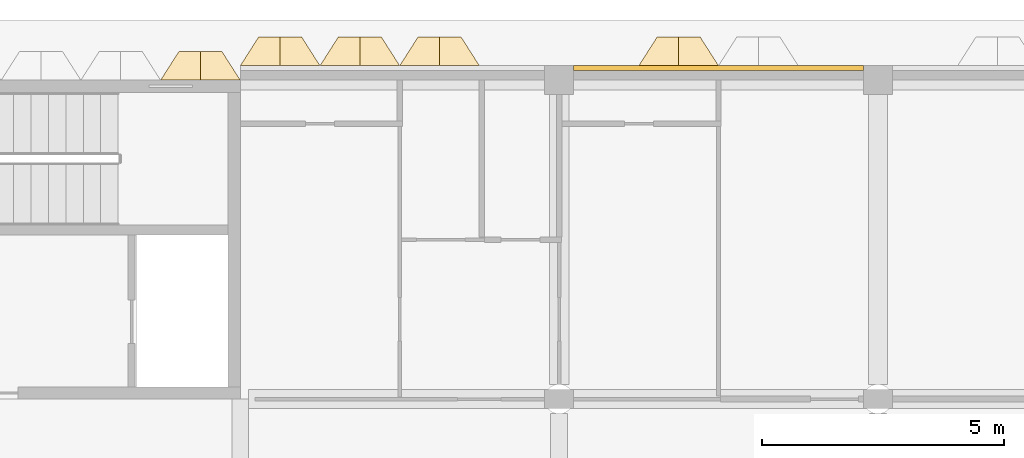
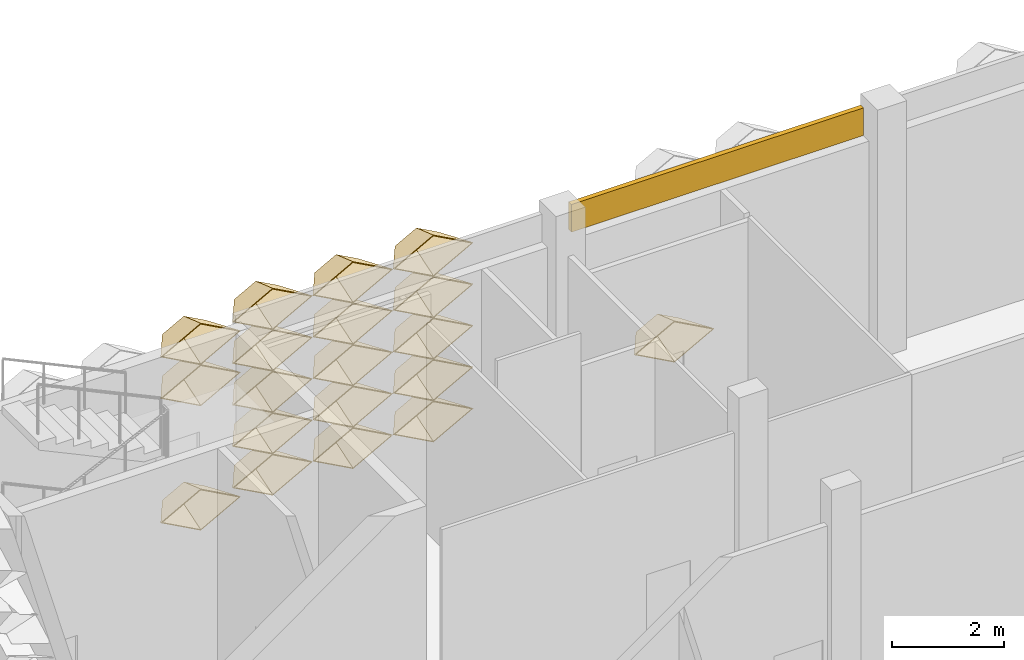
# One storey, part 75 of 85: 20 coverings.
"""IFC4 building model written with IfcOpenShell, lengths in metres."""

from ifc_helpers import new_model, entity, si_unit, direction, frame, frame_2d, origin, place, context, subcontext, project, spatial, rectangle, extrude, material, layer, layer_set, type_object, element, save


model = new_model("IFC4")

# Units and contexts
model_context = context("Model", 3, precision=1e-05, world=origin(), true_north=direction((0.0, 1.0)))
body_context = subcontext(model_context, "Body", "Model", "MODEL_VIEW")
ifc_project = project(units=[si_unit("LENGTHUNIT", "METRE"), si_unit("AREAUNIT", "SQUARE_METRE"), si_unit("VOLUMEUNIT", "CUBIC_METRE"), si_unit("PLANEANGLEUNIT", "RADIAN"), si_unit("MASSUNIT", "GRAM", prefix="KILO")], contexts=[model_context])

# Site, building, storey
site_placement = place(None, origin())
site = spatial("IfcSite", under=ifc_project, at=site_placement, CompositionType="ELEMENT")
building_placement = place(site_placement, origin())
building = spatial("IfcBuilding", under=site, at=building_placement, Name="Lantern Court Research Institute", CompositionType="ELEMENT")
storey_placement = place(building_placement, origin())
storey = spatial("IfcBuildingStorey", under=building, at=storey_placement, Name="L00", CompositionType="ELEMENT", Elevation=0.0)

# Coverings
ifc_material_1 = material(Name="Aluminium composite panel with mineral wool insulation", Category="aluminium")
ifc_layer_1 = layer(ifc_material_1, 0.10009765625)
ifc_layer_set_1 = layer_set([ifc_layer_1], Name="Aluminium composite panel with mineral wool insulation")
covering_type_1 = type_object("IfcCoveringType", Name="Edge fascia panel 100 aluminium faced", PredefinedType="CLADDING", material=ifc_layer_set_1)
covering_1_placement = place(storey_placement, frame((13.5, 99.25, 4.550048828125), z_axis=(0.0, 0.0, 1.0), x_axis=(1.0, 0.0, 0.0)))
element("IfcCovering", 1, at=covering_1_placement, inside=storey, type_object=covering_type_1, Name="Edge fascia V6N L00 02", PredefinedType="CLADDING", context=body_context, shape_type="SweptSolid", body=[
    extrude(rectangle(XDim=6.0, YDim=0.10009765625, at=frame_2d((3.0, 0.0))), origin(), (0.0, 0.0, 1.0), 0.599853515625),
])
ifc_material_2 = material(Name="Anodised aluminium", Category="aluminium")
ifc_layer_2 = layer(ifc_material_2, 0.01611328125)
ifc_layer_set_2 = layer_set([ifc_layer_2], Name="Anodised aluminium")
covering_type_2 = type_object("IfcCoveringType", Name="Fin cassette 1650 x 900 x 600 aluminium", PredefinedType="CLADDING", material=ifc_layer_set_2)
covering_2_placement = place(storey_placement, frame((5.77490234375, 99.0, 1.35009765625), z_axis=(0.0, 1.0, 0.0), x_axis=(-1.0, 0.0, 0.0)))
cartesian_point_1 = entity("IfcCartesianPoint", [0.824951171875, 0.0])
cartesian_point_2 = entity("IfcCartesianPoint", [0.79150390625, 0.0])
cartesian_point_3 = entity("IfcCartesianPoint", [0.44189453125, 0.0])
cartesian_point_4 = entity("IfcCartesianPoint", [0.43359375, 0.0])
element("IfcCovering", 2, at=covering_2_placement, inside=storey, type_object=covering_type_2, Name="Fin cassette V6N-L00 2.4", PredefinedType="CLADDING", context=body_context, shape_type="SweptSolid", body=[
    entity("IfcExtrudedAreaSolidTapered", entity("IfcArbitraryProfileDefWithVoids", "AREA", None, entity("IfcPolyline", [cartesian_point_1, entity("IfcCartesianPoint", [0.0, 0.449951171875]), entity("IfcCartesianPoint", [-0.824951171875, 0.0]), entity("IfcCartesianPoint", [0.0, -0.449951171875]), cartesian_point_1]), [entity("IfcPolyline", [cartesian_point_2, entity("IfcCartesianPoint", [0.0, 0.431884765625]), entity("IfcCartesianPoint", [-0.79150390625, 0.0]), entity("IfcCartesianPoint", [0.0, -0.431884765625]), cartesian_point_2])]), entity("IfcAxis2Placement3D", entity("IfcCartesianPoint", [0.0, 0.0, 0.0])), entity("IfcDirection", [0.0, 0.0, 1.0]), 0.60009765625, entity("IfcArbitraryProfileDefWithVoids", "AREA", None, entity("IfcPolyline", [cartesian_point_3, entity("IfcCartesianPoint", [0.0, 0.240966796875]), entity("IfcCartesianPoint", [-0.44189453125, 0.0]), entity("IfcCartesianPoint", [0.0, -0.240966796875]), cartesian_point_3]), [entity("IfcPolyline", [cartesian_point_4, entity("IfcCartesianPoint", [0.0, 0.236572265625]), entity("IfcCartesianPoint", [-0.43359375, 0.0]), entity("IfcCartesianPoint", [0.0, -0.236572265625]), cartesian_point_4])])),
])
covering_3_placement = place(storey_placement, frame((5.77490234375, 99.0, 4.050048828125), z_axis=(0.0, 1.0, 0.0), x_axis=(-1.0, 0.0, 0.0)))
cartesian_point_5 = entity("IfcCartesianPoint", [0.824951171875, 0.0])
cartesian_point_6 = entity("IfcCartesianPoint", [0.79150390625, 0.0])
cartesian_point_7 = entity("IfcCartesianPoint", [0.44189453125, 0.0])
cartesian_point_8 = entity("IfcCartesianPoint", [0.43359375, 0.0])
element("IfcCovering", 3, at=covering_3_placement, inside=storey, type_object=covering_type_2, Name="Fin cassette V6N-L00 5.4", PredefinedType="CLADDING", context=body_context, shape_type="SweptSolid", body=[
    entity("IfcExtrudedAreaSolidTapered", entity("IfcArbitraryProfileDefWithVoids", "AREA", None, entity("IfcPolyline", [cartesian_point_5, entity("IfcCartesianPoint", [0.0, 0.449951171875]), entity("IfcCartesianPoint", [-0.824951171875, 0.0]), entity("IfcCartesianPoint", [0.0, -0.449951171875]), cartesian_point_5]), [entity("IfcPolyline", [cartesian_point_6, entity("IfcCartesianPoint", [0.0, 0.431884765625]), entity("IfcCartesianPoint", [-0.79150390625, 0.0]), entity("IfcCartesianPoint", [0.0, -0.431884765625]), cartesian_point_6])]), entity("IfcAxis2Placement3D", entity("IfcCartesianPoint", [0.0, 0.0, 0.0])), entity("IfcDirection", [0.0, 0.0, 1.0]), 0.60009765625, entity("IfcArbitraryProfileDefWithVoids", "AREA", None, entity("IfcPolyline", [cartesian_point_7, entity("IfcCartesianPoint", [0.0, 0.240966796875]), entity("IfcCartesianPoint", [-0.44189453125, 0.0]), entity("IfcCartesianPoint", [0.0, -0.240966796875]), cartesian_point_7]), [entity("IfcPolyline", [cartesian_point_8, entity("IfcCartesianPoint", [0.0, 0.236572265625]), entity("IfcCartesianPoint", [-0.43359375, 0.0]), entity("IfcCartesianPoint", [0.0, -0.236572265625]), cartesian_point_8])])),
])
covering_4_placement = place(storey_placement, frame((5.77490234375, 99.0, 4.949951171875), z_axis=(0.0, 1.0, 0.0), x_axis=(-1.0, 0.0, 0.0)))
cartesian_point_9 = entity("IfcCartesianPoint", [0.824951171875, 0.0])
cartesian_point_10 = entity("IfcCartesianPoint", [0.79150390625, 0.0])
cartesian_point_11 = entity("IfcCartesianPoint", [0.44189453125, 0.0])
cartesian_point_12 = entity("IfcCartesianPoint", [0.43359375, 0.0])
element("IfcCovering", 4, at=covering_4_placement, inside=storey, type_object=covering_type_2, Name="Fin cassette V6N-L00 6.4", PredefinedType="CLADDING", context=body_context, shape_type="SweptSolid", body=[
    entity("IfcExtrudedAreaSolidTapered", entity("IfcArbitraryProfileDefWithVoids", "AREA", None, entity("IfcPolyline", [cartesian_point_9, entity("IfcCartesianPoint", [0.0, 0.449951171875]), entity("IfcCartesianPoint", [-0.824951171875, 0.0]), entity("IfcCartesianPoint", [0.0, -0.449951171875]), cartesian_point_9]), [entity("IfcPolyline", [cartesian_point_10, entity("IfcCartesianPoint", [0.0, 0.431884765625]), entity("IfcCartesianPoint", [-0.79150390625, 0.0]), entity("IfcCartesianPoint", [0.0, -0.431884765625]), cartesian_point_10])]), entity("IfcAxis2Placement3D", entity("IfcCartesianPoint", [0.0, 0.0, 0.0])), entity("IfcDirection", [0.0, 0.0, 1.0]), 0.60009765625, entity("IfcArbitraryProfileDefWithVoids", "AREA", None, entity("IfcPolyline", [cartesian_point_11, entity("IfcCartesianPoint", [0.0, 0.240966796875]), entity("IfcCartesianPoint", [-0.44189453125, 0.0]), entity("IfcCartesianPoint", [0.0, -0.240966796875]), cartesian_point_11]), [entity("IfcPolyline", [cartesian_point_12, entity("IfcCartesianPoint", [0.0, 0.236572265625]), entity("IfcCartesianPoint", [-0.43359375, 0.0]), entity("IfcCartesianPoint", [0.0, -0.236572265625]), cartesian_point_12])])),
])
covering_5_placement = place(storey_placement, frame((7.425048828125, 99.300048828125, 1.35009765625), z_axis=(0.0, 1.0, 0.0), x_axis=(-1.0, 0.0, 0.0)))
cartesian_point_13 = entity("IfcCartesianPoint", [0.824951171875, 0.0])
cartesian_point_14 = entity("IfcCartesianPoint", [0.79150390625, 0.0])
cartesian_point_15 = entity("IfcCartesianPoint", [0.44189453125, 0.0])
cartesian_point_16 = entity("IfcCartesianPoint", [0.43359375, 0.0])
element("IfcCovering", 5, at=covering_5_placement, inside=storey, type_object=covering_type_2, Name="Fin cassette V6N-L00 2.5", PredefinedType="CLADDING", context=body_context, shape_type="SweptSolid", body=[
    entity("IfcExtrudedAreaSolidTapered", entity("IfcArbitraryProfileDefWithVoids", "AREA", None, entity("IfcPolyline", [cartesian_point_13, entity("IfcCartesianPoint", [0.0, 0.449951171875]), entity("IfcCartesianPoint", [-0.824951171875, 0.0]), entity("IfcCartesianPoint", [0.0, -0.449951171875]), cartesian_point_13]), [entity("IfcPolyline", [cartesian_point_14, entity("IfcCartesianPoint", [0.0, 0.431884765625]), entity("IfcCartesianPoint", [-0.79150390625, 0.0]), entity("IfcCartesianPoint", [0.0, -0.431884765625]), cartesian_point_14])]), entity("IfcAxis2Placement3D", entity("IfcCartesianPoint", [0.0, 0.0, 0.0])), entity("IfcDirection", [0.0, 0.0, 1.0]), 0.60009765625, entity("IfcArbitraryProfileDefWithVoids", "AREA", None, entity("IfcPolyline", [cartesian_point_15, entity("IfcCartesianPoint", [0.0, 0.240966796875]), entity("IfcCartesianPoint", [-0.44189453125, 0.0]), entity("IfcCartesianPoint", [0.0, -0.240966796875]), cartesian_point_15]), [entity("IfcPolyline", [cartesian_point_16, entity("IfcCartesianPoint", [0.0, 0.236572265625]), entity("IfcCartesianPoint", [-0.43359375, 0.0]), entity("IfcCartesianPoint", [0.0, -0.236572265625]), cartesian_point_16])])),
])
covering_6_placement = place(storey_placement, frame((9.074951171875, 99.300048828125, 1.35009765625), z_axis=(0.0, 1.0, 0.0), x_axis=(-1.0, 0.0, 0.0)))
cartesian_point_17 = entity("IfcCartesianPoint", [0.824951171875, 0.0])
cartesian_point_18 = entity("IfcCartesianPoint", [0.79150390625, 0.0])
cartesian_point_19 = entity("IfcCartesianPoint", [0.44189453125, 0.0])
cartesian_point_20 = entity("IfcCartesianPoint", [0.43359375, 0.0])
element("IfcCovering", 6, at=covering_6_placement, inside=storey, type_object=covering_type_2, Name="Fin cassette V6N-L00 2.6", PredefinedType="CLADDING", context=body_context, shape_type="SweptSolid", body=[
    entity("IfcExtrudedAreaSolidTapered", entity("IfcArbitraryProfileDefWithVoids", "AREA", None, entity("IfcPolyline", [cartesian_point_17, entity("IfcCartesianPoint", [0.0, 0.449951171875]), entity("IfcCartesianPoint", [-0.824951171875, 0.0]), entity("IfcCartesianPoint", [0.0, -0.449951171875]), cartesian_point_17]), [entity("IfcPolyline", [cartesian_point_18, entity("IfcCartesianPoint", [0.0, 0.431884765625]), entity("IfcCartesianPoint", [-0.79150390625, 0.0]), entity("IfcCartesianPoint", [0.0, -0.431884765625]), cartesian_point_18])]), entity("IfcAxis2Placement3D", entity("IfcCartesianPoint", [0.0, 0.0, 0.0])), entity("IfcDirection", [0.0, 0.0, 1.0]), 0.60009765625, entity("IfcArbitraryProfileDefWithVoids", "AREA", None, entity("IfcPolyline", [cartesian_point_19, entity("IfcCartesianPoint", [0.0, 0.240966796875]), entity("IfcCartesianPoint", [-0.44189453125, 0.0]), entity("IfcCartesianPoint", [0.0, -0.240966796875]), cartesian_point_19]), [entity("IfcPolyline", [cartesian_point_20, entity("IfcCartesianPoint", [0.0, 0.236572265625]), entity("IfcCartesianPoint", [-0.43359375, 0.0]), entity("IfcCartesianPoint", [0.0, -0.236572265625]), cartesian_point_20])])),
])
covering_7_placement = place(storey_placement, frame((10.72509765625, 99.300048828125, 1.35009765625), z_axis=(0.0, 1.0, 0.0), x_axis=(-1.0, 0.0, 0.0)))
cartesian_point_21 = entity("IfcCartesianPoint", [0.824951171875, 0.0])
cartesian_point_22 = entity("IfcCartesianPoint", [0.79150390625, 0.0])
cartesian_point_23 = entity("IfcCartesianPoint", [0.44189453125, 0.0])
cartesian_point_24 = entity("IfcCartesianPoint", [0.43359375, 0.0])
element("IfcCovering", 7, at=covering_7_placement, inside=storey, type_object=covering_type_2, Name="Fin cassette V6N-L00 2.7", PredefinedType="CLADDING", context=body_context, shape_type="SweptSolid", body=[
    entity("IfcExtrudedAreaSolidTapered", entity("IfcArbitraryProfileDefWithVoids", "AREA", None, entity("IfcPolyline", [cartesian_point_21, entity("IfcCartesianPoint", [0.0, 0.449951171875]), entity("IfcCartesianPoint", [-0.824951171875, 0.0]), entity("IfcCartesianPoint", [0.0, -0.449951171875]), cartesian_point_21]), [entity("IfcPolyline", [cartesian_point_22, entity("IfcCartesianPoint", [0.0, 0.431884765625]), entity("IfcCartesianPoint", [-0.79150390625, 0.0]), entity("IfcCartesianPoint", [0.0, -0.431884765625]), cartesian_point_22])]), entity("IfcAxis2Placement3D", entity("IfcCartesianPoint", [0.0, 0.0, 0.0])), entity("IfcDirection", [0.0, 0.0, 1.0]), 0.60009765625, entity("IfcArbitraryProfileDefWithVoids", "AREA", None, entity("IfcPolyline", [cartesian_point_23, entity("IfcCartesianPoint", [0.0, 0.240966796875]), entity("IfcCartesianPoint", [-0.44189453125, 0.0]), entity("IfcCartesianPoint", [0.0, -0.240966796875]), cartesian_point_23]), [entity("IfcPolyline", [cartesian_point_24, entity("IfcCartesianPoint", [0.0, 0.236572265625]), entity("IfcCartesianPoint", [-0.43359375, 0.0]), entity("IfcCartesianPoint", [0.0, -0.236572265625]), cartesian_point_24])])),
])
covering_8_placement = place(storey_placement, frame((15.675048828125, 99.300048828125, 1.35009765625), z_axis=(0.0, 1.0, 0.0), x_axis=(-1.0, 0.0, 0.0)))
cartesian_point_25 = entity("IfcCartesianPoint", [0.824951171875, 0.0])
cartesian_point_26 = entity("IfcCartesianPoint", [0.79150390625, 0.0])
cartesian_point_27 = entity("IfcCartesianPoint", [0.44189453125, 0.0])
cartesian_point_28 = entity("IfcCartesianPoint", [0.43359375, 0.0])
element("IfcCovering", 8, at=covering_8_placement, inside=storey, type_object=covering_type_2, Name="Fin cassette V6N-L00 2.10", PredefinedType="CLADDING", context=body_context, shape_type="SweptSolid", body=[
    entity("IfcExtrudedAreaSolidTapered", entity("IfcArbitraryProfileDefWithVoids", "AREA", None, entity("IfcPolyline", [cartesian_point_25, entity("IfcCartesianPoint", [0.0, 0.449951171875]), entity("IfcCartesianPoint", [-0.824951171875, 0.0]), entity("IfcCartesianPoint", [0.0, -0.449951171875]), cartesian_point_25]), [entity("IfcPolyline", [cartesian_point_26, entity("IfcCartesianPoint", [0.0, 0.431884765625]), entity("IfcCartesianPoint", [-0.79150390625, 0.0]), entity("IfcCartesianPoint", [0.0, -0.431884765625]), cartesian_point_26])]), entity("IfcAxis2Placement3D", entity("IfcCartesianPoint", [0.0, 0.0, 0.0])), entity("IfcDirection", [0.0, 0.0, 1.0]), 0.60009765625, entity("IfcArbitraryProfileDefWithVoids", "AREA", None, entity("IfcPolyline", [cartesian_point_27, entity("IfcCartesianPoint", [0.0, 0.240966796875]), entity("IfcCartesianPoint", [-0.44189453125, 0.0]), entity("IfcCartesianPoint", [0.0, -0.240966796875]), cartesian_point_27]), [entity("IfcPolyline", [cartesian_point_28, entity("IfcCartesianPoint", [0.0, 0.236572265625]), entity("IfcCartesianPoint", [-0.43359375, 0.0]), entity("IfcCartesianPoint", [0.0, -0.236572265625]), cartesian_point_28])])),
])
covering_9_placement = place(storey_placement, frame((7.425048828125, 99.300048828125, 2.25), z_axis=(0.0, 1.0, 0.0), x_axis=(-1.0, 0.0, 0.0)))
cartesian_point_29 = entity("IfcCartesianPoint", [0.824951171875, 0.0])
cartesian_point_30 = entity("IfcCartesianPoint", [0.79150390625, 0.0])
cartesian_point_31 = entity("IfcCartesianPoint", [0.44189453125, 0.0])
cartesian_point_32 = entity("IfcCartesianPoint", [0.43359375, 0.0])
element("IfcCovering", 9, at=covering_9_placement, inside=storey, type_object=covering_type_2, Name="Fin cassette V6N-L00 3.5", PredefinedType="CLADDING", context=body_context, shape_type="SweptSolid", body=[
    entity("IfcExtrudedAreaSolidTapered", entity("IfcArbitraryProfileDefWithVoids", "AREA", None, entity("IfcPolyline", [cartesian_point_29, entity("IfcCartesianPoint", [0.0, 0.449951171875]), entity("IfcCartesianPoint", [-0.824951171875, 0.0]), entity("IfcCartesianPoint", [0.0, -0.449951171875]), cartesian_point_29]), [entity("IfcPolyline", [cartesian_point_30, entity("IfcCartesianPoint", [0.0, 0.431884765625]), entity("IfcCartesianPoint", [-0.79150390625, 0.0]), entity("IfcCartesianPoint", [0.0, -0.431884765625]), cartesian_point_30])]), entity("IfcAxis2Placement3D", entity("IfcCartesianPoint", [0.0, 0.0, 0.0])), entity("IfcDirection", [0.0, 0.0, 1.0]), 0.60009765625, entity("IfcArbitraryProfileDefWithVoids", "AREA", None, entity("IfcPolyline", [cartesian_point_31, entity("IfcCartesianPoint", [0.0, 0.240966796875]), entity("IfcCartesianPoint", [-0.44189453125, 0.0]), entity("IfcCartesianPoint", [0.0, -0.240966796875]), cartesian_point_31]), [entity("IfcPolyline", [cartesian_point_32, entity("IfcCartesianPoint", [0.0, 0.236572265625]), entity("IfcCartesianPoint", [-0.43359375, 0.0]), entity("IfcCartesianPoint", [0.0, -0.236572265625]), cartesian_point_32])])),
])
covering_10_placement = place(storey_placement, frame((9.074951171875, 99.300048828125, 2.25), z_axis=(0.0, 1.0, 0.0), x_axis=(-1.0, 0.0, 0.0)))
cartesian_point_33 = entity("IfcCartesianPoint", [0.824951171875, 0.0])
cartesian_point_34 = entity("IfcCartesianPoint", [0.79150390625, 0.0])
cartesian_point_35 = entity("IfcCartesianPoint", [0.44189453125, 0.0])
cartesian_point_36 = entity("IfcCartesianPoint", [0.43359375, 0.0])
element("IfcCovering", 10, at=covering_10_placement, inside=storey, type_object=covering_type_2, Name="Fin cassette V6N-L00 3.6", PredefinedType="CLADDING", context=body_context, shape_type="SweptSolid", body=[
    entity("IfcExtrudedAreaSolidTapered", entity("IfcArbitraryProfileDefWithVoids", "AREA", None, entity("IfcPolyline", [cartesian_point_33, entity("IfcCartesianPoint", [0.0, 0.449951171875]), entity("IfcCartesianPoint", [-0.824951171875, 0.0]), entity("IfcCartesianPoint", [0.0, -0.449951171875]), cartesian_point_33]), [entity("IfcPolyline", [cartesian_point_34, entity("IfcCartesianPoint", [0.0, 0.431884765625]), entity("IfcCartesianPoint", [-0.79150390625, 0.0]), entity("IfcCartesianPoint", [0.0, -0.431884765625]), cartesian_point_34])]), entity("IfcAxis2Placement3D", entity("IfcCartesianPoint", [0.0, 0.0, 0.0])), entity("IfcDirection", [0.0, 0.0, 1.0]), 0.60009765625, entity("IfcArbitraryProfileDefWithVoids", "AREA", None, entity("IfcPolyline", [cartesian_point_35, entity("IfcCartesianPoint", [0.0, 0.240966796875]), entity("IfcCartesianPoint", [-0.44189453125, 0.0]), entity("IfcCartesianPoint", [0.0, -0.240966796875]), cartesian_point_35]), [entity("IfcPolyline", [cartesian_point_36, entity("IfcCartesianPoint", [0.0, 0.236572265625]), entity("IfcCartesianPoint", [-0.43359375, 0.0]), entity("IfcCartesianPoint", [0.0, -0.236572265625]), cartesian_point_36])])),
])
covering_11_placement = place(storey_placement, frame((10.72509765625, 99.300048828125, 2.25), z_axis=(0.0, 1.0, 0.0), x_axis=(-1.0, 0.0, 0.0)))
cartesian_point_37 = entity("IfcCartesianPoint", [0.824951171875, 0.0])
cartesian_point_38 = entity("IfcCartesianPoint", [0.79150390625, 0.0])
cartesian_point_39 = entity("IfcCartesianPoint", [0.44189453125, 0.0])
cartesian_point_40 = entity("IfcCartesianPoint", [0.43359375, 0.0])
element("IfcCovering", 11, at=covering_11_placement, inside=storey, type_object=covering_type_2, Name="Fin cassette V6N-L00 3.7", PredefinedType="CLADDING", context=body_context, shape_type="SweptSolid", body=[
    entity("IfcExtrudedAreaSolidTapered", entity("IfcArbitraryProfileDefWithVoids", "AREA", None, entity("IfcPolyline", [cartesian_point_37, entity("IfcCartesianPoint", [0.0, 0.449951171875]), entity("IfcCartesianPoint", [-0.824951171875, 0.0]), entity("IfcCartesianPoint", [0.0, -0.449951171875]), cartesian_point_37]), [entity("IfcPolyline", [cartesian_point_38, entity("IfcCartesianPoint", [0.0, 0.431884765625]), entity("IfcCartesianPoint", [-0.79150390625, 0.0]), entity("IfcCartesianPoint", [0.0, -0.431884765625]), cartesian_point_38])]), entity("IfcAxis2Placement3D", entity("IfcCartesianPoint", [0.0, 0.0, 0.0])), entity("IfcDirection", [0.0, 0.0, 1.0]), 0.60009765625, entity("IfcArbitraryProfileDefWithVoids", "AREA", None, entity("IfcPolyline", [cartesian_point_39, entity("IfcCartesianPoint", [0.0, 0.240966796875]), entity("IfcCartesianPoint", [-0.44189453125, 0.0]), entity("IfcCartesianPoint", [0.0, -0.240966796875]), cartesian_point_39]), [entity("IfcPolyline", [cartesian_point_40, entity("IfcCartesianPoint", [0.0, 0.236572265625]), entity("IfcCartesianPoint", [-0.43359375, 0.0]), entity("IfcCartesianPoint", [0.0, -0.236572265625]), cartesian_point_40])])),
])
covering_12_placement = place(storey_placement, frame((7.425048828125, 99.300048828125, 3.14990234375), z_axis=(0.0, 1.0, 0.0), x_axis=(-1.0, 0.0, 0.0)))
cartesian_point_41 = entity("IfcCartesianPoint", [0.824951171875, 0.0])
cartesian_point_42 = entity("IfcCartesianPoint", [0.79150390625, 0.0])
cartesian_point_43 = entity("IfcCartesianPoint", [0.44189453125, 0.0])
cartesian_point_44 = entity("IfcCartesianPoint", [0.43359375, 0.0])
element("IfcCovering", 12, at=covering_12_placement, inside=storey, type_object=covering_type_2, Name="Fin cassette V6N-L00 4.5", PredefinedType="CLADDING", context=body_context, shape_type="SweptSolid", body=[
    entity("IfcExtrudedAreaSolidTapered", entity("IfcArbitraryProfileDefWithVoids", "AREA", None, entity("IfcPolyline", [cartesian_point_41, entity("IfcCartesianPoint", [0.0, 0.449951171875]), entity("IfcCartesianPoint", [-0.824951171875, 0.0]), entity("IfcCartesianPoint", [0.0, -0.449951171875]), cartesian_point_41]), [entity("IfcPolyline", [cartesian_point_42, entity("IfcCartesianPoint", [0.0, 0.431884765625]), entity("IfcCartesianPoint", [-0.79150390625, 0.0]), entity("IfcCartesianPoint", [0.0, -0.431884765625]), cartesian_point_42])]), entity("IfcAxis2Placement3D", entity("IfcCartesianPoint", [0.0, 0.0, 0.0])), entity("IfcDirection", [0.0, 0.0, 1.0]), 0.60009765625, entity("IfcArbitraryProfileDefWithVoids", "AREA", None, entity("IfcPolyline", [cartesian_point_43, entity("IfcCartesianPoint", [0.0, 0.240966796875]), entity("IfcCartesianPoint", [-0.44189453125, 0.0]), entity("IfcCartesianPoint", [0.0, -0.240966796875]), cartesian_point_43]), [entity("IfcPolyline", [cartesian_point_44, entity("IfcCartesianPoint", [0.0, 0.236572265625]), entity("IfcCartesianPoint", [-0.43359375, 0.0]), entity("IfcCartesianPoint", [0.0, -0.236572265625]), cartesian_point_44])])),
])
covering_13_placement = place(storey_placement, frame((9.074951171875, 99.300048828125, 3.14990234375), z_axis=(0.0, 1.0, 0.0), x_axis=(-1.0, 0.0, 0.0)))
cartesian_point_45 = entity("IfcCartesianPoint", [0.824951171875, 0.0])
cartesian_point_46 = entity("IfcCartesianPoint", [0.79150390625, 0.0])
cartesian_point_47 = entity("IfcCartesianPoint", [0.44189453125, 0.0])
cartesian_point_48 = entity("IfcCartesianPoint", [0.43359375, 0.0])
element("IfcCovering", 13, at=covering_13_placement, inside=storey, type_object=covering_type_2, Name="Fin cassette V6N-L00 4.6", PredefinedType="CLADDING", context=body_context, shape_type="SweptSolid", body=[
    entity("IfcExtrudedAreaSolidTapered", entity("IfcArbitraryProfileDefWithVoids", "AREA", None, entity("IfcPolyline", [cartesian_point_45, entity("IfcCartesianPoint", [0.0, 0.449951171875]), entity("IfcCartesianPoint", [-0.824951171875, 0.0]), entity("IfcCartesianPoint", [0.0, -0.449951171875]), cartesian_point_45]), [entity("IfcPolyline", [cartesian_point_46, entity("IfcCartesianPoint", [0.0, 0.431884765625]), entity("IfcCartesianPoint", [-0.79150390625, 0.0]), entity("IfcCartesianPoint", [0.0, -0.431884765625]), cartesian_point_46])]), entity("IfcAxis2Placement3D", entity("IfcCartesianPoint", [0.0, 0.0, 0.0])), entity("IfcDirection", [0.0, 0.0, 1.0]), 0.60009765625, entity("IfcArbitraryProfileDefWithVoids", "AREA", None, entity("IfcPolyline", [cartesian_point_47, entity("IfcCartesianPoint", [0.0, 0.240966796875]), entity("IfcCartesianPoint", [-0.44189453125, 0.0]), entity("IfcCartesianPoint", [0.0, -0.240966796875]), cartesian_point_47]), [entity("IfcPolyline", [cartesian_point_48, entity("IfcCartesianPoint", [0.0, 0.236572265625]), entity("IfcCartesianPoint", [-0.43359375, 0.0]), entity("IfcCartesianPoint", [0.0, -0.236572265625]), cartesian_point_48])])),
])
covering_14_placement = place(storey_placement, frame((10.72509765625, 99.300048828125, 3.14990234375), z_axis=(0.0, 1.0, 0.0), x_axis=(-1.0, 0.0, 0.0)))
cartesian_point_49 = entity("IfcCartesianPoint", [0.824951171875, 0.0])
cartesian_point_50 = entity("IfcCartesianPoint", [0.79150390625, 0.0])
cartesian_point_51 = entity("IfcCartesianPoint", [0.44189453125, 0.0])
cartesian_point_52 = entity("IfcCartesianPoint", [0.43359375, 0.0])
element("IfcCovering", 14, at=covering_14_placement, inside=storey, type_object=covering_type_2, Name="Fin cassette V6N-L00 4.7", PredefinedType="CLADDING", context=body_context, shape_type="SweptSolid", body=[
    entity("IfcExtrudedAreaSolidTapered", entity("IfcArbitraryProfileDefWithVoids", "AREA", None, entity("IfcPolyline", [cartesian_point_49, entity("IfcCartesianPoint", [0.0, 0.449951171875]), entity("IfcCartesianPoint", [-0.824951171875, 0.0]), entity("IfcCartesianPoint", [0.0, -0.449951171875]), cartesian_point_49]), [entity("IfcPolyline", [cartesian_point_50, entity("IfcCartesianPoint", [0.0, 0.431884765625]), entity("IfcCartesianPoint", [-0.79150390625, 0.0]), entity("IfcCartesianPoint", [0.0, -0.431884765625]), cartesian_point_50])]), entity("IfcAxis2Placement3D", entity("IfcCartesianPoint", [0.0, 0.0, 0.0])), entity("IfcDirection", [0.0, 0.0, 1.0]), 0.60009765625, entity("IfcArbitraryProfileDefWithVoids", "AREA", None, entity("IfcPolyline", [cartesian_point_51, entity("IfcCartesianPoint", [0.0, 0.240966796875]), entity("IfcCartesianPoint", [-0.44189453125, 0.0]), entity("IfcCartesianPoint", [0.0, -0.240966796875]), cartesian_point_51]), [entity("IfcPolyline", [cartesian_point_52, entity("IfcCartesianPoint", [0.0, 0.236572265625]), entity("IfcCartesianPoint", [-0.43359375, 0.0]), entity("IfcCartesianPoint", [0.0, -0.236572265625]), cartesian_point_52])])),
])
covering_15_placement = place(storey_placement, frame((7.425048828125, 99.300048828125, 4.050048828125), z_axis=(0.0, 1.0, 0.0), x_axis=(-1.0, 0.0, 0.0)))
cartesian_point_53 = entity("IfcCartesianPoint", [0.824951171875, 0.0])
cartesian_point_54 = entity("IfcCartesianPoint", [0.79150390625, 0.0])
cartesian_point_55 = entity("IfcCartesianPoint", [0.44189453125, 0.0])
cartesian_point_56 = entity("IfcCartesianPoint", [0.43359375, 0.0])
element("IfcCovering", 15, at=covering_15_placement, inside=storey, type_object=covering_type_2, Name="Fin cassette V6N-L00 5.5", PredefinedType="CLADDING", context=body_context, shape_type="SweptSolid", body=[
    entity("IfcExtrudedAreaSolidTapered", entity("IfcArbitraryProfileDefWithVoids", "AREA", None, entity("IfcPolyline", [cartesian_point_53, entity("IfcCartesianPoint", [0.0, 0.449951171875]), entity("IfcCartesianPoint", [-0.824951171875, 0.0]), entity("IfcCartesianPoint", [0.0, -0.449951171875]), cartesian_point_53]), [entity("IfcPolyline", [cartesian_point_54, entity("IfcCartesianPoint", [0.0, 0.431884765625]), entity("IfcCartesianPoint", [-0.79150390625, 0.0]), entity("IfcCartesianPoint", [0.0, -0.431884765625]), cartesian_point_54])]), entity("IfcAxis2Placement3D", entity("IfcCartesianPoint", [0.0, 0.0, 0.0])), entity("IfcDirection", [0.0, 0.0, 1.0]), 0.60009765625, entity("IfcArbitraryProfileDefWithVoids", "AREA", None, entity("IfcPolyline", [cartesian_point_55, entity("IfcCartesianPoint", [0.0, 0.240966796875]), entity("IfcCartesianPoint", [-0.44189453125, 0.0]), entity("IfcCartesianPoint", [0.0, -0.240966796875]), cartesian_point_55]), [entity("IfcPolyline", [cartesian_point_56, entity("IfcCartesianPoint", [0.0, 0.236572265625]), entity("IfcCartesianPoint", [-0.43359375, 0.0]), entity("IfcCartesianPoint", [0.0, -0.236572265625]), cartesian_point_56])])),
])
covering_16_placement = place(storey_placement, frame((9.074951171875, 99.300048828125, 4.050048828125), z_axis=(0.0, 1.0, 0.0), x_axis=(-1.0, 0.0, 0.0)))
cartesian_point_57 = entity("IfcCartesianPoint", [0.824951171875, 0.0])
cartesian_point_58 = entity("IfcCartesianPoint", [0.79150390625, 0.0])
cartesian_point_59 = entity("IfcCartesianPoint", [0.44189453125, 0.0])
cartesian_point_60 = entity("IfcCartesianPoint", [0.43359375, 0.0])
element("IfcCovering", 16, at=covering_16_placement, inside=storey, type_object=covering_type_2, Name="Fin cassette V6N-L00 5.6", PredefinedType="CLADDING", context=body_context, shape_type="SweptSolid", body=[
    entity("IfcExtrudedAreaSolidTapered", entity("IfcArbitraryProfileDefWithVoids", "AREA", None, entity("IfcPolyline", [cartesian_point_57, entity("IfcCartesianPoint", [0.0, 0.449951171875]), entity("IfcCartesianPoint", [-0.824951171875, 0.0]), entity("IfcCartesianPoint", [0.0, -0.449951171875]), cartesian_point_57]), [entity("IfcPolyline", [cartesian_point_58, entity("IfcCartesianPoint", [0.0, 0.431884765625]), entity("IfcCartesianPoint", [-0.79150390625, 0.0]), entity("IfcCartesianPoint", [0.0, -0.431884765625]), cartesian_point_58])]), entity("IfcAxis2Placement3D", entity("IfcCartesianPoint", [0.0, 0.0, 0.0])), entity("IfcDirection", [0.0, 0.0, 1.0]), 0.60009765625, entity("IfcArbitraryProfileDefWithVoids", "AREA", None, entity("IfcPolyline", [cartesian_point_59, entity("IfcCartesianPoint", [0.0, 0.240966796875]), entity("IfcCartesianPoint", [-0.44189453125, 0.0]), entity("IfcCartesianPoint", [0.0, -0.240966796875]), cartesian_point_59]), [entity("IfcPolyline", [cartesian_point_60, entity("IfcCartesianPoint", [0.0, 0.236572265625]), entity("IfcCartesianPoint", [-0.43359375, 0.0]), entity("IfcCartesianPoint", [0.0, -0.236572265625]), cartesian_point_60])])),
])
covering_17_placement = place(storey_placement, frame((10.72509765625, 99.300048828125, 4.050048828125), z_axis=(0.0, 1.0, 0.0), x_axis=(-1.0, 0.0, 0.0)))
cartesian_point_61 = entity("IfcCartesianPoint", [0.824951171875, 0.0])
cartesian_point_62 = entity("IfcCartesianPoint", [0.79150390625, 0.0])
cartesian_point_63 = entity("IfcCartesianPoint", [0.44189453125, 0.0])
cartesian_point_64 = entity("IfcCartesianPoint", [0.43359375, 0.0])
element("IfcCovering", 17, at=covering_17_placement, inside=storey, type_object=covering_type_2, Name="Fin cassette V6N-L00 5.7", PredefinedType="CLADDING", context=body_context, shape_type="SweptSolid", body=[
    entity("IfcExtrudedAreaSolidTapered", entity("IfcArbitraryProfileDefWithVoids", "AREA", None, entity("IfcPolyline", [cartesian_point_61, entity("IfcCartesianPoint", [0.0, 0.449951171875]), entity("IfcCartesianPoint", [-0.824951171875, 0.0]), entity("IfcCartesianPoint", [0.0, -0.449951171875]), cartesian_point_61]), [entity("IfcPolyline", [cartesian_point_62, entity("IfcCartesianPoint", [0.0, 0.431884765625]), entity("IfcCartesianPoint", [-0.79150390625, 0.0]), entity("IfcCartesianPoint", [0.0, -0.431884765625]), cartesian_point_62])]), entity("IfcAxis2Placement3D", entity("IfcCartesianPoint", [0.0, 0.0, 0.0])), entity("IfcDirection", [0.0, 0.0, 1.0]), 0.60009765625, entity("IfcArbitraryProfileDefWithVoids", "AREA", None, entity("IfcPolyline", [cartesian_point_63, entity("IfcCartesianPoint", [0.0, 0.240966796875]), entity("IfcCartesianPoint", [-0.44189453125, 0.0]), entity("IfcCartesianPoint", [0.0, -0.240966796875]), cartesian_point_63]), [entity("IfcPolyline", [cartesian_point_64, entity("IfcCartesianPoint", [0.0, 0.236572265625]), entity("IfcCartesianPoint", [-0.43359375, 0.0]), entity("IfcCartesianPoint", [0.0, -0.236572265625]), cartesian_point_64])])),
])
covering_18_placement = place(storey_placement, frame((7.425048828125, 99.300048828125, 4.949951171875), z_axis=(0.0, 1.0, 0.0), x_axis=(-1.0, 0.0, 0.0)))
cartesian_point_65 = entity("IfcCartesianPoint", [0.824951171875, 0.0])
cartesian_point_66 = entity("IfcCartesianPoint", [0.79150390625, 0.0])
cartesian_point_67 = entity("IfcCartesianPoint", [0.44189453125, 0.0])
cartesian_point_68 = entity("IfcCartesianPoint", [0.43359375, 0.0])
element("IfcCovering", 18, at=covering_18_placement, inside=storey, type_object=covering_type_2, Name="Fin cassette V6N-L00 6.5", PredefinedType="CLADDING", context=body_context, shape_type="SweptSolid", body=[
    entity("IfcExtrudedAreaSolidTapered", entity("IfcArbitraryProfileDefWithVoids", "AREA", None, entity("IfcPolyline", [cartesian_point_65, entity("IfcCartesianPoint", [0.0, 0.449951171875]), entity("IfcCartesianPoint", [-0.824951171875, 0.0]), entity("IfcCartesianPoint", [0.0, -0.449951171875]), cartesian_point_65]), [entity("IfcPolyline", [cartesian_point_66, entity("IfcCartesianPoint", [0.0, 0.431884765625]), entity("IfcCartesianPoint", [-0.79150390625, 0.0]), entity("IfcCartesianPoint", [0.0, -0.431884765625]), cartesian_point_66])]), entity("IfcAxis2Placement3D", entity("IfcCartesianPoint", [0.0, 0.0, 0.0])), entity("IfcDirection", [0.0, 0.0, 1.0]), 0.60009765625, entity("IfcArbitraryProfileDefWithVoids", "AREA", None, entity("IfcPolyline", [cartesian_point_67, entity("IfcCartesianPoint", [0.0, 0.240966796875]), entity("IfcCartesianPoint", [-0.44189453125, 0.0]), entity("IfcCartesianPoint", [0.0, -0.240966796875]), cartesian_point_67]), [entity("IfcPolyline", [cartesian_point_68, entity("IfcCartesianPoint", [0.0, 0.236572265625]), entity("IfcCartesianPoint", [-0.43359375, 0.0]), entity("IfcCartesianPoint", [0.0, -0.236572265625]), cartesian_point_68])])),
])
covering_19_placement = place(storey_placement, frame((9.074951171875, 99.300048828125, 4.949951171875), z_axis=(0.0, 1.0, 0.0), x_axis=(-1.0, 0.0, 0.0)))
cartesian_point_69 = entity("IfcCartesianPoint", [0.824951171875, 0.0])
cartesian_point_70 = entity("IfcCartesianPoint", [0.79150390625, 0.0])
cartesian_point_71 = entity("IfcCartesianPoint", [0.44189453125, 0.0])
cartesian_point_72 = entity("IfcCartesianPoint", [0.43359375, 0.0])
element("IfcCovering", 19, at=covering_19_placement, inside=storey, type_object=covering_type_2, Name="Fin cassette V6N-L00 6.6", PredefinedType="CLADDING", context=body_context, shape_type="SweptSolid", body=[
    entity("IfcExtrudedAreaSolidTapered", entity("IfcArbitraryProfileDefWithVoids", "AREA", None, entity("IfcPolyline", [cartesian_point_69, entity("IfcCartesianPoint", [0.0, 0.449951171875]), entity("IfcCartesianPoint", [-0.824951171875, 0.0]), entity("IfcCartesianPoint", [0.0, -0.449951171875]), cartesian_point_69]), [entity("IfcPolyline", [cartesian_point_70, entity("IfcCartesianPoint", [0.0, 0.431884765625]), entity("IfcCartesianPoint", [-0.79150390625, 0.0]), entity("IfcCartesianPoint", [0.0, -0.431884765625]), cartesian_point_70])]), entity("IfcAxis2Placement3D", entity("IfcCartesianPoint", [0.0, 0.0, 0.0])), entity("IfcDirection", [0.0, 0.0, 1.0]), 0.60009765625, entity("IfcArbitraryProfileDefWithVoids", "AREA", None, entity("IfcPolyline", [cartesian_point_71, entity("IfcCartesianPoint", [0.0, 0.240966796875]), entity("IfcCartesianPoint", [-0.44189453125, 0.0]), entity("IfcCartesianPoint", [0.0, -0.240966796875]), cartesian_point_71]), [entity("IfcPolyline", [cartesian_point_72, entity("IfcCartesianPoint", [0.0, 0.236572265625]), entity("IfcCartesianPoint", [-0.43359375, 0.0]), entity("IfcCartesianPoint", [0.0, -0.236572265625]), cartesian_point_72])])),
])
covering_20_placement = place(storey_placement, frame((10.72509765625, 99.300048828125, 4.949951171875), z_axis=(0.0, 1.0, 0.0), x_axis=(-1.0, 0.0, 0.0)))
cartesian_point_73 = entity("IfcCartesianPoint", [0.824951171875, 0.0])
cartesian_point_74 = entity("IfcCartesianPoint", [0.79150390625, 0.0])
cartesian_point_75 = entity("IfcCartesianPoint", [0.44189453125, 0.0])
cartesian_point_76 = entity("IfcCartesianPoint", [0.43359375, 0.0])
element("IfcCovering", 20, at=covering_20_placement, inside=storey, type_object=covering_type_2, Name="Fin cassette V6N-L00 6.7", PredefinedType="CLADDING", context=body_context, shape_type="SweptSolid", body=[
    entity("IfcExtrudedAreaSolidTapered", entity("IfcArbitraryProfileDefWithVoids", "AREA", None, entity("IfcPolyline", [cartesian_point_73, entity("IfcCartesianPoint", [0.0, 0.449951171875]), entity("IfcCartesianPoint", [-0.824951171875, 0.0]), entity("IfcCartesianPoint", [0.0, -0.449951171875]), cartesian_point_73]), [entity("IfcPolyline", [cartesian_point_74, entity("IfcCartesianPoint", [0.0, 0.431884765625]), entity("IfcCartesianPoint", [-0.79150390625, 0.0]), entity("IfcCartesianPoint", [0.0, -0.431884765625]), cartesian_point_74])]), entity("IfcAxis2Placement3D", entity("IfcCartesianPoint", [0.0, 0.0, 0.0])), entity("IfcDirection", [0.0, 0.0, 1.0]), 0.60009765625, entity("IfcArbitraryProfileDefWithVoids", "AREA", None, entity("IfcPolyline", [cartesian_point_75, entity("IfcCartesianPoint", [0.0, 0.240966796875]), entity("IfcCartesianPoint", [-0.44189453125, 0.0]), entity("IfcCartesianPoint", [0.0, -0.240966796875]), cartesian_point_75]), [entity("IfcPolyline", [cartesian_point_76, entity("IfcCartesianPoint", [0.0, 0.236572265625]), entity("IfcCartesianPoint", [-0.43359375, 0.0]), entity("IfcCartesianPoint", [0.0, -0.236572265625]), cartesian_point_76])])),
])

save(model, "model.ifc")
